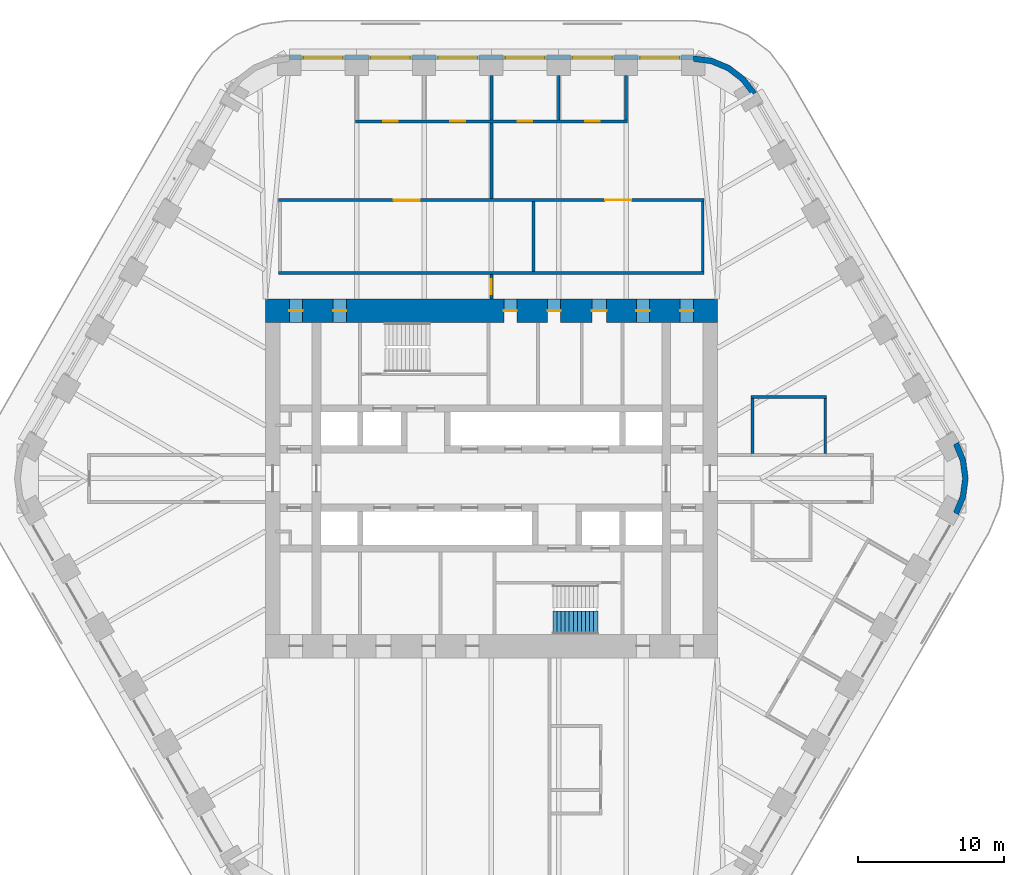
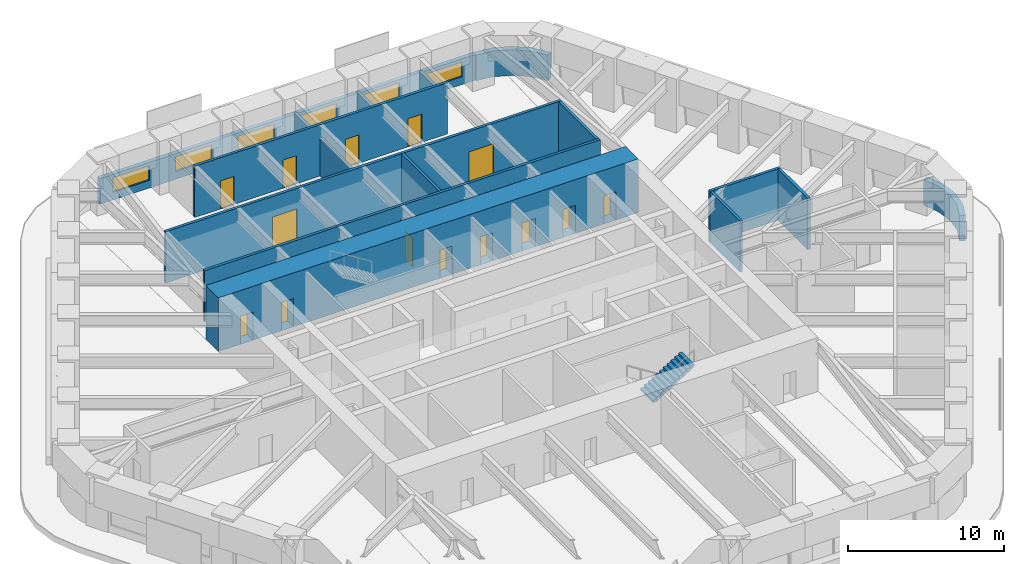
# One storey, part 17 of 20: 17 walls, 14 doors, 6 windows, 1 stair flight, 20 openings, 1 element without a shape of its own.
"""IFC4 building model written with IfcOpenShell, lengths in metres."""

from ifc_helpers import new_model, si_unit, direction, frame, frame_2d, origin, place, context, subcontext, project, spatial, polyline, rectangle, outline, extrude, material, layer, layer_set, type_object, element, fill, aggregate, save


model = new_model("IFC4")

# Units and contexts
model_context = context("Model", 3, precision=1e-05, world=origin(), true_north=direction((0.0, 1.0)))
body_context = subcontext(model_context, "Body", "Model", "MODEL_VIEW")
ifc_project = project(units=[si_unit("LENGTHUNIT", "METRE"), si_unit("AREAUNIT", "SQUARE_METRE"), si_unit("VOLUMEUNIT", "CUBIC_METRE"), si_unit("PLANEANGLEUNIT", "RADIAN"), si_unit("MASSUNIT", "GRAM", prefix="KILO")], contexts=[model_context])

# Site, building, storey
site_placement = place(None, origin())
site = spatial("IfcSite", under=ifc_project, at=site_placement, CompositionType="ELEMENT")
building_placement = place(site_placement, origin())
building = spatial("IfcBuilding", under=site, at=building_placement, Name="Tarfa Lantern Tower", CompositionType="ELEMENT")
storey_placement = place(building_placement, frame((0.0, 0.0, 228.10009765625)))
storey = spatial("IfcBuildingStorey", under=building, at=storey_placement, Name="L51", CompositionType="ELEMENT", Elevation=228.10009765625)

# Wall, openings, windows
ifc_material_1 = material(Name="Limestone cladding on blockwork", Category="masonry")
ifc_layer_1 = layer(ifc_material_1, 0.300048828125)
ifc_layer_set_1 = layer_set([ifc_layer_1], Name="EW1 STONE-CLAD WALL 300")
wall_type_1 = type_object("IfcWallType", Name="EW1 STONE-CLAD WALL 300", PredefinedType="SOLIDWALL", material=ifc_layer_set_1)
wall_1_placement = place(storey_placement, frame((13.8564453125, 28.85009765625, 0.0), z_axis=(0.0, 0.0, 1.0), x_axis=(-1.0, 0.0, 0.0)))
wall_1 = element("IfcWall", 1, at=wall_1_placement, inside=storey, type_object=wall_type_1, Name="Stone wall N", PredefinedType="SOLIDWALL", context=body_context, shape_type="SweptSolid", body=[
    extrude(rectangle(XDim=27.712890625, YDim=0.300048828125, at=frame_2d((13.8564453125, 0.0))), origin(), (0.0, 0.0, 1.0), 2.0),
])
opening_1_placement = place(wall_1_placement, frame((0.95947265625, 0.0, 0.60009765625)))
opening_1 = element("IfcOpeningElement", 2, at=opening_1_placement, cuts=wall_1, Name="Opening W13", PredefinedType="OPENING", context=body_context, shape_type="SweptSolid", body=[
    extrude(rectangle(XDim=2.699951171875, YDim=1.14990234375, at=frame_2d((1.35009765625, 0.574951171875))), frame((0.0, 0.159912109375, 0.0), z_axis=(0.0, -1.0, 0.0), x_axis=(1.0, 0.0, 0.0)), (0.0, 0.0, 1.0), 0.320068359375),
])
opening_2_placement = place(wall_1_placement, frame((5.578125, 0.0, 0.60009765625)))
opening_2 = element("IfcOpeningElement", 3, at=opening_2_placement, cuts=wall_1, Name="Opening W13", PredefinedType="OPENING", context=body_context, shape_type="SweptSolid", body=[
    extrude(rectangle(XDim=2.699951171875, YDim=1.14990234375, at=frame_2d((1.35009765625, 0.574951171875))), frame((0.0, 0.159912109375, 0.0), z_axis=(0.0, -1.0, 0.0), x_axis=(1.0, 0.0, 0.0)), (0.0, 0.0, 1.0), 0.320068359375),
])
opening_3_placement = place(wall_1_placement, frame((10.197021484375, 0.0, 0.60009765625)))
opening_3 = element("IfcOpeningElement", 4, at=opening_3_placement, cuts=wall_1, Name="Opening W13", PredefinedType="OPENING", context=body_context, shape_type="SweptSolid", body=[
    extrude(rectangle(XDim=2.699951171875, YDim=1.14990234375, at=frame_2d((1.35009765625, 0.574951171875))), frame((0.0, 0.159912109375, 0.0), z_axis=(0.0, -1.0, 0.0), x_axis=(1.0, 0.0, 0.0)), (0.0, 0.0, 1.0), 0.320068359375),
])
opening_4_placement = place(wall_1_placement, frame((14.81591796875, 0.0, 0.60009765625)))
opening_4 = element("IfcOpeningElement", 5, at=opening_4_placement, cuts=wall_1, Name="Opening W13", PredefinedType="OPENING", context=body_context, shape_type="SweptSolid", body=[
    extrude(rectangle(XDim=2.699951171875, YDim=1.14990234375, at=frame_2d((1.35009765625, 0.574951171875))), frame((0.0, 0.159912109375, 0.0), z_axis=(0.0, -1.0, 0.0), x_axis=(1.0, 0.0, 0.0)), (0.0, 0.0, 1.0), 0.320068359375),
])
opening_5_placement = place(wall_1_placement, frame((19.4345703125, 0.0, 0.60009765625)))
opening_5 = element("IfcOpeningElement", 6, at=opening_5_placement, cuts=wall_1, Name="Opening W13", PredefinedType="OPENING", context=body_context, shape_type="SweptSolid", body=[
    extrude(rectangle(XDim=2.699951171875, YDim=1.14990234375, at=frame_2d((1.35009765625, 0.574951171875))), frame((0.0, 0.159912109375, 0.0), z_axis=(0.0, -1.0, 0.0), x_axis=(1.0, 0.0, 0.0)), (0.0, 0.0, 1.0), 0.320068359375),
])
opening_6_placement = place(wall_1_placement, frame((24.053466796875, 0.0, 0.60009765625)))
opening_6 = element("IfcOpeningElement", 7, at=opening_6_placement, cuts=wall_1, Name="Opening W13", PredefinedType="OPENING", context=body_context, shape_type="SweptSolid", body=[
    extrude(rectangle(XDim=2.699951171875, YDim=1.14990234375, at=frame_2d((1.35009765625, 0.574951171875))), frame((0.0, 0.159912109375, 0.0), z_axis=(0.0, -1.0, 0.0), x_axis=(1.0, 0.0, 0.0)), (0.0, 0.0, 1.0), 0.320068359375),
])
ifc_material_2 = material(Name="Aluminium frame, double glazed", Category="aluminium")
window_type = type_object("IfcWindowType", Name="W13 FULL-HEIGHT GLAZING 2700x1150", PartitioningType="SINGLE_PANEL", PredefinedType="WINDOW", material=ifc_material_2)
window_1_placement = place(opening_1_placement, origin())
window_1 = element("IfcWindow", 8, at=window_1_placement, inside=storey, type_object=window_type, Name="Window N 1", OverallHeight=1.14990234375, OverallWidth=2.699951171875, PartitioningType="SINGLE_PANEL", PredefinedType="WINDOW", context=body_context, shape_type="SweptSolid", body=[
    extrude(rectangle(XDim=2.699951171875, YDim=1.14990234375, at=frame_2d((1.35009765625, 0.574951171875))), frame((0.0, 0.030029296875, 0.0), z_axis=(0.0, -1.0, 0.0), x_axis=(1.0, 0.0, 0.0)), (0.0, 0.0, 1.0), 0.06005859375),
])
fill(opening_1, window_1)
window_2_placement = place(opening_2_placement, origin())
window_2 = element("IfcWindow", 9, at=window_2_placement, inside=storey, type_object=window_type, Name="Window N 2", OverallHeight=1.14990234375, OverallWidth=2.699951171875, PartitioningType="SINGLE_PANEL", PredefinedType="WINDOW", context=body_context, shape_type="SweptSolid", body=[
    extrude(rectangle(XDim=2.699951171875, YDim=1.14990234375, at=frame_2d((1.35009765625, 0.574951171875))), frame((0.0, 0.030029296875, 0.0), z_axis=(0.0, -1.0, 0.0), x_axis=(1.0, 0.0, 0.0)), (0.0, 0.0, 1.0), 0.06005859375),
])
fill(opening_2, window_2)
window_3_placement = place(opening_3_placement, origin())
window_3 = element("IfcWindow", 10, at=window_3_placement, inside=storey, type_object=window_type, Name="Window N 3", OverallHeight=1.14990234375, OverallWidth=2.699951171875, PartitioningType="SINGLE_PANEL", PredefinedType="WINDOW", context=body_context, shape_type="SweptSolid", body=[
    extrude(rectangle(XDim=2.699951171875, YDim=1.14990234375, at=frame_2d((1.35009765625, 0.574951171875))), frame((0.0, 0.030029296875, 0.0), z_axis=(0.0, -1.0, 0.0), x_axis=(1.0, 0.0, 0.0)), (0.0, 0.0, 1.0), 0.06005859375),
])
fill(opening_3, window_3)
window_4_placement = place(opening_4_placement, origin())
window_4 = element("IfcWindow", 11, at=window_4_placement, inside=storey, type_object=window_type, Name="Window N 4", OverallHeight=1.14990234375, OverallWidth=2.699951171875, PartitioningType="SINGLE_PANEL", PredefinedType="WINDOW", context=body_context, shape_type="SweptSolid", body=[
    extrude(rectangle(XDim=2.699951171875, YDim=1.14990234375, at=frame_2d((1.35009765625, 0.574951171875))), frame((0.0, 0.030029296875, 0.0), z_axis=(0.0, -1.0, 0.0), x_axis=(1.0, 0.0, 0.0)), (0.0, 0.0, 1.0), 0.06005859375),
])
fill(opening_4, window_4)
window_5_placement = place(opening_5_placement, origin())
window_5 = element("IfcWindow", 12, at=window_5_placement, inside=storey, type_object=window_type, Name="Window N 5", OverallHeight=1.14990234375, OverallWidth=2.699951171875, PartitioningType="SINGLE_PANEL", PredefinedType="WINDOW", context=body_context, shape_type="SweptSolid", body=[
    extrude(rectangle(XDim=2.699951171875, YDim=1.14990234375, at=frame_2d((1.35009765625, 0.574951171875))), frame((0.0, 0.030029296875, 0.0), z_axis=(0.0, -1.0, 0.0), x_axis=(1.0, 0.0, 0.0)), (0.0, 0.0, 1.0), 0.06005859375),
])
fill(opening_5, window_5)
window_6_placement = place(opening_6_placement, origin())
window_6 = element("IfcWindow", 13, at=window_6_placement, inside=storey, type_object=window_type, Name="Window N 6", OverallHeight=1.14990234375, OverallWidth=2.699951171875, PartitioningType="SINGLE_PANEL", PredefinedType="WINDOW", context=body_context, shape_type="SweptSolid", body=[
    extrude(rectangle(XDim=2.699951171875, YDim=1.14990234375, at=frame_2d((1.35009765625, 0.574951171875))), frame((0.0, 0.030029296875, 0.0), z_axis=(0.0, -1.0, 0.0), x_axis=(1.0, 0.0, 0.0)), (0.0, 0.0, 1.0), 0.06005859375),
])
fill(opening_6, window_6)

# Walls
ifc_layer_2 = layer(ifc_material_1, 0.39990234375)
ifc_layer_set_2 = layer_set([ifc_layer_2], Name="EW2 CURVED STONE CORNER 400")
wall_type_2 = type_object("IfcWallType", Name="EW2 CURVED STONE CORNER 400", PredefinedType="SOLIDWALL", material=ifc_layer_set_2)
wall_2_placement = place(storey_placement, origin())
element("IfcWall", 14, at=wall_2_placement, inside=storey, type_object=wall_type_2, Name="Stone corner NE-N", PredefinedType="SOLIDWALL", context=body_context, shape_type="SweptSolid", body=[
    extrude(outline(polyline([(18.1865234375, 26.5), (17.391845703125, 27.53564453125), (16.3564453125, 28.330078125), (15.150390625, 28.82958984375), (13.8564453125, 29.0), (13.8564453125, 28.60009765625), (15.046875, 28.443359375), (16.156494140625, 27.983642578125), (17.109130859375, 27.252685546875), (17.840087890625, 26.300048828125), (18.1865234375, 26.5)])), origin(), (0.0, 0.0, 1.0), 2.0),
])
wall_3_placement = place(storey_placement, origin())
element("IfcWall", 15, at=wall_3_placement, inside=storey, type_object=wall_type_2, Name="Stone corner SE-NE", PredefinedType="SOLIDWALL", context=body_context, shape_type="SweptSolid", body=[
    extrude(outline(polyline([(32.04296875, -2.5), (32.54248046875, -1.294189453125), (32.712890625, 0.0), (32.54248046875, 1.294189453125), (32.04296875, 2.5), (31.696533203125, 2.300048828125), (32.156005859375, 1.190673828125), (32.312744140625, 0.0), (32.156005859375, -1.190673828125), (31.696533203125, -2.300048828125), (32.04296875, -2.5)])), origin(), (0.0, 0.0, 1.0), 2.0),
])
ifc_material_3 = material(Name="Gypsum board on steel studs", Category="steel")
ifc_layer_3 = layer(ifc_material_3, 0.2099609375)
ifc_layer_set_3 = layer_set([ifc_layer_3], Name="IW2 ACOUSTIC PARTITION 200")
wall_type_3 = type_object("IfcWallType", Name="IW2 ACOUSTIC PARTITION 200", PredefinedType="PARTITIONING", material=ifc_layer_set_3)
wall_4_placement = place(storey_placement, frame((-14.60009765625, 14.10009765625, 0.0), z_axis=(0.0, 0.0, 1.0), x_axis=(1.0, 0.0, 0.0)))
element("IfcWall", 16, at=wall_4_placement, inside=storey, type_object=wall_type_3, Name="Partition", PredefinedType="PARTITIONING", context=body_context, shape_type="SweptSolid", body=[
    extrude(rectangle(XDim=29.2001953125, YDim=0.199951171875, at=frame_2d((14.60009765625, 0.0))), origin(), (0.0, 0.0, 1.0), 4.0),
])

# Wall, openings, doors
wall_5_placement = place(storey_placement, frame((-14.60009765625, 19.10009765625, 0.0), z_axis=(0.0, 0.0, 1.0), x_axis=(1.0, 0.0, 0.0)))
wall_5 = element("IfcWall", 17, at=wall_5_placement, inside=storey, type_object=wall_type_3, Name="Partition", PredefinedType="PARTITIONING", context=body_context, shape_type="SweptSolid", body=[
    extrude(rectangle(XDim=29.2001953125, YDim=0.199951171875, at=frame_2d((14.60009765625, 0.0))), origin(), (0.0, 0.0, 1.0), 4.0),
])
opening_7_placement = place(wall_5_placement, frame((7.89990234375, 0.0, 0.0)))
opening_7 = element("IfcOpeningElement", 18, at=opening_7_placement, cuts=wall_5, Name="Opening D36", PredefinedType="OPENING", context=body_context, shape_type="SweptSolid", body=[
    extrude(rectangle(XDim=1.800048828125, YDim=2.39990234375, at=frame_2d((0.89990234375, 1.199951171875))), frame((0.0, 0.10986328125, 0.0), z_axis=(0.0, -1.0, 0.0), x_axis=(1.0, 0.0, 0.0)), (0.0, 0.0, 1.0), 0.219970703125),
])
opening_8_placement = place(wall_5_placement, frame((22.39990234375, 0.0, 0.0)))
opening_8 = element("IfcOpeningElement", 19, at=opening_8_placement, cuts=wall_5, Name="Opening D37", PredefinedType="OPENING", context=body_context, shape_type="SweptSolid", body=[
    extrude(rectangle(XDim=1.800048828125, YDim=2.39990234375, at=frame_2d((0.89990234375, 1.199951171875))), frame((0.0, 0.10986328125, 0.0), z_axis=(0.0, -1.0, 0.0), x_axis=(1.0, 0.0, 0.0)), (0.0, 0.0, 1.0), 0.219970703125),
])
ifc_material_4 = material(Name="Timber door", Category="wood")
door_type_1 = type_object("IfcDoorType", Name="DR2 ROOM DOOR 1800x2400", OperationType="DOUBLE_DOOR_SINGLE_SWING", PredefinedType="DOOR", material=ifc_material_4)
door_1_placement = place(opening_7_placement, frame((1.800048828125, 0.0, 0.0), z_axis=(0.0, 0.0, 1.0), x_axis=(-1.0, 0.0, 0.0)))
door_1 = element("IfcDoor", 20, at=door_1_placement, inside=storey, type_object=door_type_1, Name="Legal library door", OperationType="DOUBLE_DOOR_SINGLE_SWING", OverallHeight=2.39990234375, OverallWidth=1.800048828125, PredefinedType="DOOR", context=body_context, shape_type="SweptSolid", body=[
    extrude(rectangle(XDim=1.800048828125, YDim=2.39990234375, at=frame_2d((0.89990234375, 1.199951171875))), frame((0.0, 0.02490234375, 0.0), z_axis=(0.0, -1.0, 0.0), x_axis=(1.0, 0.0, 0.0)), (0.0, 0.0, 1.0), 0.050048828125),
])
fill(opening_7, door_1)
door_2_placement = place(opening_8_placement, frame((1.800048828125, 0.0, 0.0), z_axis=(0.0, 0.0, 1.0), x_axis=(-1.0, 0.0, 0.0)))
door_2 = element("IfcDoor", 21, at=door_2_placement, inside=storey, type_object=door_type_1, Name="File room door", OperationType="DOUBLE_DOOR_SINGLE_SWING", OverallHeight=2.39990234375, OverallWidth=1.800048828125, PredefinedType="DOOR", context=body_context, shape_type="SweptSolid", body=[
    extrude(rectangle(XDim=1.800048828125, YDim=2.39990234375, at=frame_2d((0.89990234375, 1.199951171875))), frame((0.0, 0.02490234375, 0.0), z_axis=(0.0, -1.0, 0.0), x_axis=(1.0, 0.0, 0.0)), (0.0, 0.0, 1.0), 0.050048828125),
])
fill(opening_8, door_2)

# Walls
for number, where, z_axis, x_axis, name in (
    (22, (2.89990234375, 14.199951171875, 0.0), (0.0, 0.0, 1.0), (0.0, 1.0, 0.0), "Partition"),
    (23, (14.5, 14.199951171875, 0.0), (0.0, 0.0, 1.0), (0.0, 1.0, 0.0), "Partition"),
):
    element("IfcWall", number, at=place(storey_placement, frame(where, z_axis=z_axis, x_axis=x_axis)), inside=storey, type_object=wall_type_3, Name=name, PredefinedType="PARTITIONING", context=body_context, shape_type="SweptSolid", body=[
        extrude(rectangle(XDim=4.800048828125, YDim=0.199951171875, at=frame_2d((2.39990234375, 0.0))), origin(), (0.0, 0.0, 1.0), 4.0),
    ])

# Wall, openings, doors
wall_6_placement = place(storey_placement, frame((9.337646484375, 24.5, 0.0), z_axis=(0.0, 0.0, 1.0), x_axis=(-1.0, 0.0, 0.0)))
wall_6 = element("IfcWall", 24, at=wall_6_placement, inside=storey, type_object=wall_type_3, Name="Partition", PredefinedType="PARTITIONING", context=body_context, shape_type="SweptSolid", body=[
    extrude(rectangle(XDim=18.67529296875, YDim=0.199951171875, at=frame_2d((9.337646484375, 0.0))), origin(), (0.0, 0.0, 1.0), 4.0),
])
opening_9_placement = place(wall_6_placement, frame((1.909423828125, 0.0, 0.0)))
opening_9 = element("IfcOpeningElement", 25, at=opening_9_placement, cuts=wall_6, Name="Opening D29", PredefinedType="OPENING", context=body_context, shape_type="SweptSolid", body=[
    extrude(rectangle(XDim=1.0, YDim=2.199951171875, at=frame_2d((0.5, 1.10009765625))), frame((0.0, 0.10986328125, 0.0), z_axis=(0.0, -1.0, 0.0), x_axis=(1.0, 0.0, 0.0)), (0.0, 0.0, 1.0), 0.219970703125),
])
opening_10_placement = place(wall_6_placement, frame((6.5283203125, 0.0, 0.0)))
opening_10 = element("IfcOpeningElement", 26, at=opening_10_placement, cuts=wall_6, Name="Opening D30", PredefinedType="OPENING", context=body_context, shape_type="SweptSolid", body=[
    extrude(rectangle(XDim=1.0, YDim=2.199951171875, at=frame_2d((0.5, 1.10009765625))), frame((0.0, 0.10986328125, 0.0), z_axis=(0.0, -1.0, 0.0), x_axis=(1.0, 0.0, 0.0)), (0.0, 0.0, 1.0), 0.219970703125),
])
opening_11_placement = place(wall_6_placement, frame((11.14697265625, 0.0, 0.0)))
opening_11 = element("IfcOpeningElement", 27, at=opening_11_placement, cuts=wall_6, Name="Opening D31", PredefinedType="OPENING", context=body_context, shape_type="SweptSolid", body=[
    extrude(rectangle(XDim=1.0, YDim=2.199951171875, at=frame_2d((0.5, 1.10009765625))), frame((0.0, 0.10986328125, 0.0), z_axis=(0.0, -1.0, 0.0), x_axis=(1.0, 0.0, 0.0)), (0.0, 0.0, 1.0), 0.219970703125),
])
opening_12_placement = place(wall_6_placement, frame((15.765869140625, 0.0, 0.0)))
opening_12 = element("IfcOpeningElement", 28, at=opening_12_placement, cuts=wall_6, Name="Opening D32", PredefinedType="OPENING", context=body_context, shape_type="SweptSolid", body=[
    extrude(rectangle(XDim=1.0, YDim=2.199951171875, at=frame_2d((0.5, 1.10009765625))), frame((0.0, 0.10986328125, 0.0), z_axis=(0.0, -1.0, 0.0), x_axis=(1.0, 0.0, 0.0)), (0.0, 0.0, 1.0), 0.219970703125),
])
door_type_2 = type_object("IfcDoorType", Name="DR1 ROOM DOOR 1000x2200", OperationType="SINGLE_SWING_LEFT", PredefinedType="DOOR", material=ifc_material_4)
door_3_placement = place(opening_9_placement, frame((1.0, 0.0, 0.0), z_axis=(0.0, 0.0, 1.0), x_axis=(-1.0, 0.0, 0.0)))
door_3 = element("IfcDoor", 29, at=door_3_placement, inside=storey, type_object=door_type_2, Name="Office door", OperationType="SINGLE_SWING_LEFT", OverallHeight=2.199951171875, OverallWidth=1.0, PredefinedType="DOOR", context=body_context, shape_type="SweptSolid", body=[
    extrude(rectangle(XDim=1.0, YDim=2.199951171875, at=frame_2d((0.5, 1.10009765625))), frame((0.0, 0.02490234375, 0.0), z_axis=(0.0, -1.0, 0.0), x_axis=(1.0, 0.0, 0.0)), (0.0, 0.0, 1.0), 0.050048828125),
])
fill(opening_9, door_3)
door_4_placement = place(opening_10_placement, frame((1.0, 0.0, 0.0), z_axis=(0.0, 0.0, 1.0), x_axis=(-1.0, 0.0, 0.0)))
door_4 = element("IfcDoor", 30, at=door_4_placement, inside=storey, type_object=door_type_2, Name="Office door", OperationType="SINGLE_SWING_LEFT", OverallHeight=2.199951171875, OverallWidth=1.0, PredefinedType="DOOR", context=body_context, shape_type="SweptSolid", body=[
    extrude(rectangle(XDim=1.0, YDim=2.199951171875, at=frame_2d((0.5, 1.10009765625))), frame((0.0, 0.02490234375, 0.0), z_axis=(0.0, -1.0, 0.0), x_axis=(1.0, 0.0, 0.0)), (0.0, 0.0, 1.0), 0.050048828125),
])
fill(opening_10, door_4)
door_5_placement = place(opening_11_placement, frame((1.0, 0.0, 0.0), z_axis=(0.0, 0.0, 1.0), x_axis=(-1.0, 0.0, 0.0)))
door_5 = element("IfcDoor", 31, at=door_5_placement, inside=storey, type_object=door_type_2, Name="Office door", OperationType="SINGLE_SWING_RIGHT", OverallHeight=2.199951171875, OverallWidth=1.0, PredefinedType="DOOR", context=body_context, shape_type="SweptSolid", body=[
    extrude(rectangle(XDim=1.0, YDim=2.199951171875, at=frame_2d((0.5, 1.10009765625))), frame((0.0, 0.02490234375, 0.0), z_axis=(0.0, -1.0, 0.0), x_axis=(1.0, 0.0, 0.0)), (0.0, 0.0, 1.0), 0.050048828125),
])
fill(opening_11, door_5)
door_6_placement = place(opening_12_placement, frame((1.0, 0.0, 0.0), z_axis=(0.0, 0.0, 1.0), x_axis=(-1.0, 0.0, 0.0)))
door_6 = element("IfcDoor", 32, at=door_6_placement, inside=storey, type_object=door_type_2, Name="Office door", OperationType="SINGLE_SWING_RIGHT", OverallHeight=2.199951171875, OverallWidth=1.0, PredefinedType="DOOR", context=body_context, shape_type="SweptSolid", body=[
    extrude(rectangle(XDim=1.0, YDim=2.199951171875, at=frame_2d((0.5, 1.10009765625))), frame((0.0, 0.02490234375, 0.0), z_axis=(0.0, -1.0, 0.0), x_axis=(1.0, 0.0, 0.0)), (0.0, 0.0, 1.0), 0.050048828125),
])
fill(opening_12, door_6)

# Walls
for number, where, z_axis, x_axis, name in (
    (33, (9.237548828125, 24.60009765625, 0.0), (0.0, 0.0, 1.0), (0.0, 1.0, 0.0), "Partition"),
    (34, (4.618896484375, 24.60009765625, 0.0), (0.0, 0.0, 1.0), (0.0, 1.0, 0.0), "Partition"),
    (35, (0.0, 24.60009765625, 0.0), (0.0, 0.0, 1.0), (0.0, 1.0, 0.0), "Partition"),
):
    element("IfcWall", number, at=place(storey_placement, frame(where, z_axis=z_axis, x_axis=x_axis)), inside=storey, type_object=wall_type_3, Name=name, PredefinedType="PARTITIONING", context=body_context, shape_type="SweptSolid", body=[
        extrude(rectangle(XDim=3.0498046875, YDim=0.199951171875, at=frame_2d((1.52490234375, 0.0))), origin(), (0.0, 0.0, 1.0), 2.99169921875),
    ])
wall_7_placement = place(storey_placement, frame((17.800048828125, 5.60009765625, 0.0), z_axis=(0.0, 0.0, 1.0), x_axis=(1.0, 0.0, 0.0)))
element("IfcWall", 36, at=wall_7_placement, inside=storey, type_object=wall_type_3, Name="Partition", PredefinedType="PARTITIONING", context=body_context, shape_type="SweptSolid", body=[
    extrude(rectangle(XDim=5.199951171875, YDim=0.199951171875, at=frame_2d((2.60009765625, 0.0))), origin(), (0.0, 0.0, 1.0), 4.0),
])
for number, where, z_axis, x_axis, name in (
    (37, (17.89990234375, 1.699951171875, 0.0), (0.0, 0.0, 1.0), (0.0, 1.0, 0.0), "Partition"),
    (38, (22.89990234375, 1.699951171875, 0.0), (0.0, 0.0, 1.0), (0.0, 1.0, 0.0), "Partition"),
):
    element("IfcWall", number, at=place(storey_placement, frame(where, z_axis=z_axis, x_axis=x_axis)), inside=storey, type_object=wall_type_3, Name=name, PredefinedType="PARTITIONING", context=body_context, shape_type="SweptSolid", body=[
        extrude(rectangle(XDim=3.800048828125, YDim=0.199951171875, at=frame_2d((1.89990234375, 0.0))), origin(), (0.0, 0.0, 1.0), 4.0),
    ])

# Wall, opening, door
wall_8_placement = place(storey_placement, frame((0.0, 12.300048828125, 0.0), z_axis=(0.0, 0.0, 1.0), x_axis=(0.0, 1.0, 0.0)))
wall_8 = element("IfcWall", 39, at=wall_8_placement, inside=storey, type_object=wall_type_3, Name="Partition", PredefinedType="PARTITIONING", context=body_context, shape_type="SweptSolid", body=[
    extrude(rectangle(XDim=1.699951171875, YDim=0.199951171875, at=frame_2d((0.85009765625, 0.0))), origin(), (0.0, 0.0, 1.0), 2.99169921875),
])
opening_13_placement = place(wall_8_placement, frame((0.35009765625, 0.0, 0.0)))
opening_13 = element("IfcOpeningElement", 40, at=opening_13_placement, cuts=wall_8, Name="Opening D46", PredefinedType="OPENING", context=body_context, shape_type="SweptSolid", body=[
    extrude(rectangle(XDim=1.0, YDim=2.199951171875, at=frame_2d((0.5, 1.10009765625))), frame((0.0, 0.10986328125, 0.0), z_axis=(0.0, -1.0, 0.0), x_axis=(1.0, 0.0, 0.0)), (0.0, 0.0, 1.0), 0.219970703125),
])
door_7_placement = place(opening_13_placement, frame((1.0, 0.0, 0.0), z_axis=(0.0, 0.0, 1.0), x_axis=(-1.0, 0.0, 0.0)))
door_7 = element("IfcDoor", 41, at=door_7_placement, inside=storey, type_object=door_type_2, Name="Zone door", OperationType="SINGLE_SWING_RIGHT", OverallHeight=2.199951171875, OverallWidth=1.0, PredefinedType="DOOR", context=body_context, shape_type="SweptSolid", body=[
    extrude(rectangle(XDim=1.0, YDim=2.199951171875, at=frame_2d((0.5, 1.10009765625))), frame((0.0, 0.02490234375, 0.0), z_axis=(0.0, -1.0, 0.0), x_axis=(1.0, 0.0, 0.0)), (0.0, 0.0, 1.0), 0.050048828125),
])
fill(opening_13, door_7)

# Wall
wall_9_placement = place(storey_placement, frame((0.0, 19.199951171875, 0.0), z_axis=(0.0, 0.0, 1.0), x_axis=(0.0, 1.0, 0.0)))
element("IfcWall", 42, at=wall_9_placement, inside=storey, type_object=wall_type_3, Name="Partition", PredefinedType="PARTITIONING", context=body_context, shape_type="SweptSolid", body=[
    extrude(rectangle(XDim=5.199951171875, YDim=0.199951171875, at=frame_2d((2.60009765625, 0.0))), origin(), (0.0, 0.0, 1.0), 2.99169921875),
])

# Wall, openings, doors
ifc_material_5 = material(Name="Concrete C80/95", Category="concrete")
ifc_layer_4 = layer(ifc_material_5, 1.60009765625)
ifc_layer_set_4 = layer_set([ifc_layer_4], Name="SW7 CORE WALL 1600")
wall_type_4 = type_object("IfcWallType", Name="SW7 CORE WALL 1600", PredefinedType="SHEAR", material=ifc_layer_set_4)
wall_10_placement = place(storey_placement, frame((-15.5, 11.5, 0.0), z_axis=(0.0, 0.0, 1.0), x_axis=(1.0, 0.0, 0.0)))
wall_10 = element("IfcWall", 43, at=wall_10_placement, inside=storey, type_object=wall_type_4, Name="Core wall N", PredefinedType="SHEAR", context=body_context, shape_type="SweptSolid", body=[
    extrude(rectangle(XDim=31.0, YDim=1.60009765625, at=frame_2d((15.5, 0.0))), origin(), (0.0, 0.0, 1.0), 4.199951171875),
])
opening_14_placement = place(wall_10_placement, frame((16.35009765625, 0.0, 0.0)))
opening_14 = element("IfcOpeningElement", 44, at=opening_14_placement, cuts=wall_10, Name="Opening D17", PredefinedType="OPENING", context=body_context, shape_type="SweptSolid", body=[
    extrude(rectangle(XDim=0.89990234375, YDim=2.199951171875, at=frame_2d((0.449951171875, 1.10009765625))), frame((0.0, 0.81005859375, 0.0), z_axis=(0.0, -1.0, 0.0), x_axis=(1.0, 0.0, 0.0)), (0.0, 0.0, 1.0), 1.6201171875),
])
opening_15_placement = place(wall_10_placement, frame((19.35009765625, 0.0, 0.0)))
opening_15 = element("IfcOpeningElement", 45, at=opening_15_placement, cuts=wall_10, Name="Opening D19", PredefinedType="OPENING", context=body_context, shape_type="SweptSolid", body=[
    extrude(rectangle(XDim=0.89990234375, YDim=2.199951171875, at=frame_2d((0.449951171875, 1.10009765625))), frame((0.0, 0.81005859375, 0.0), z_axis=(0.0, -1.0, 0.0), x_axis=(1.0, 0.0, 0.0)), (0.0, 0.0, 1.0), 1.6201171875),
])
opening_16_placement = place(wall_10_placement, frame((22.39990234375, 0.0, 0.0)))
opening_16 = element("IfcOpeningElement", 46, at=opening_16_placement, cuts=wall_10, Name="Opening D21", PredefinedType="OPENING", context=body_context, shape_type="SweptSolid", body=[
    extrude(rectangle(XDim=1.0, YDim=2.199951171875, at=frame_2d((0.5, 1.10009765625))), frame((0.0, 0.81005859375, 0.0), z_axis=(0.0, -1.0, 0.0), x_axis=(1.0, 0.0, 0.0)), (0.0, 0.0, 1.0), 1.6201171875),
])
opening_17_placement = place(wall_10_placement, frame((1.64990234375, 0.0, 0.0)))
opening_17 = element("IfcOpeningElement", 47, at=opening_17_placement, cuts=wall_10, Name="Opening D07", PredefinedType="OPENING", context=body_context, shape_type="SweptSolid", body=[
    extrude(rectangle(XDim=0.89990234375, YDim=2.199951171875, at=frame_2d((0.449951171875, 1.10009765625))), frame((0.0, 0.81005859375, 0.0), z_axis=(0.0, -1.0, 0.0), x_axis=(1.0, 0.0, 0.0)), (0.0, 0.0, 1.0), 1.6201171875),
])
opening_18_placement = place(wall_10_placement, frame((4.64990234375, 0.0, 0.0)))
opening_18 = element("IfcOpeningElement", 48, at=opening_18_placement, cuts=wall_10, Name="Opening D05", PredefinedType="OPENING", context=body_context, shape_type="SweptSolid", body=[
    extrude(rectangle(XDim=0.89990234375, YDim=2.199951171875, at=frame_2d((0.449951171875, 1.10009765625))), frame((0.0, 0.81005859375, 0.0), z_axis=(0.0, -1.0, 0.0), x_axis=(1.0, 0.0, 0.0)), (0.0, 0.0, 1.0), 1.6201171875),
])
opening_19_placement = place(wall_10_placement, frame((25.449951171875, 0.0, 0.0)))
opening_19 = element("IfcOpeningElement", 49, at=opening_19_placement, cuts=wall_10, Name="Opening D03", PredefinedType="OPENING", context=body_context, shape_type="SweptSolid", body=[
    extrude(rectangle(XDim=0.89990234375, YDim=2.199951171875, at=frame_2d((0.449951171875, 1.10009765625))), frame((0.0, 0.81005859375, 0.0), z_axis=(0.0, -1.0, 0.0), x_axis=(1.0, 0.0, 0.0)), (0.0, 0.0, 1.0), 1.6201171875),
])
opening_20_placement = place(wall_10_placement, frame((28.449951171875, 0.0, 0.0)))
opening_20 = element("IfcOpeningElement", 50, at=opening_20_placement, cuts=wall_10, Name="Opening D01", PredefinedType="OPENING", context=body_context, shape_type="SweptSolid", body=[
    extrude(rectangle(XDim=0.89990234375, YDim=2.199951171875, at=frame_2d((0.449951171875, 1.10009765625))), frame((0.0, 0.81005859375, 0.0), z_axis=(0.0, -1.0, 0.0), x_axis=(1.0, 0.0, 0.0)), (0.0, 0.0, 1.0), 1.6201171875),
])
ifc_material_6 = material(Name="Steel fire door", Category="steel")
door_type_3 = type_object("IfcDoorType", Name="DF3 CORE ROOM DOOR 900x2200", OperationType="SINGLE_SWING_LEFT", PredefinedType="DOOR", material=ifc_material_6)
door_8_placement = place(opening_14_placement, frame((0.89990234375, 0.0, 0.0), z_axis=(0.0, 0.0, 1.0), x_axis=(-1.0, 0.0, 0.0)))
door_8 = element("IfcDoor", 51, at=door_8_placement, inside=storey, type_object=door_type_3, Name="Core door", OperationType="SINGLE_SWING_LEFT", OverallHeight=2.199951171875, OverallWidth=0.89990234375, PredefinedType="DOOR", context=body_context, shape_type="SweptSolid", body=[
    extrude(rectangle(XDim=0.89990234375, YDim=2.199951171875, at=frame_2d((0.449951171875, 1.10009765625))), frame((0.0, 0.02490234375, 0.0), z_axis=(0.0, -1.0, 0.0), x_axis=(1.0, 0.0, 0.0)), (0.0, 0.0, 1.0), 0.050048828125),
])
fill(opening_14, door_8)
door_9_placement = place(opening_15_placement, frame((0.89990234375, 0.0, 0.0), z_axis=(0.0, 0.0, 1.0), x_axis=(-1.0, 0.0, 0.0)))
door_9 = element("IfcDoor", 52, at=door_9_placement, inside=storey, type_object=door_type_3, Name="Core door", OperationType="SINGLE_SWING_LEFT", OverallHeight=2.199951171875, OverallWidth=0.89990234375, PredefinedType="DOOR", context=body_context, shape_type="SweptSolid", body=[
    extrude(rectangle(XDim=0.89990234375, YDim=2.199951171875, at=frame_2d((0.449951171875, 1.10009765625))), frame((0.0, 0.02490234375, 0.0), z_axis=(0.0, -1.0, 0.0), x_axis=(1.0, 0.0, 0.0)), (0.0, 0.0, 1.0), 0.050048828125),
])
fill(opening_15, door_9)
door_type_4 = type_object("IfcDoorType", Name="DF4 CORE ROOM DOOR 1000x2200", OperationType="SINGLE_SWING_LEFT", PredefinedType="DOOR", material=ifc_material_6)
door_10_placement = place(opening_16_placement, frame((1.0, 0.0, 0.0), z_axis=(0.0, 0.0, 1.0), x_axis=(-1.0, 0.0, 0.0)))
door_10 = element("IfcDoor", 53, at=door_10_placement, inside=storey, type_object=door_type_4, Name="Core door", OperationType="SINGLE_SWING_LEFT", OverallHeight=2.199951171875, OverallWidth=1.0, PredefinedType="DOOR", context=body_context, shape_type="SweptSolid", body=[
    extrude(rectangle(XDim=1.0, YDim=2.199951171875, at=frame_2d((0.5, 1.10009765625))), frame((0.0, 0.02490234375, 0.0), z_axis=(0.0, -1.0, 0.0), x_axis=(1.0, 0.0, 0.0)), (0.0, 0.0, 1.0), 0.050048828125),
])
fill(opening_16, door_10)
door_type_5 = type_object("IfcDoorType", Name="DF5 RISER DOOR 900x2200", OperationType="SINGLE_SWING_LEFT", PredefinedType="DOOR", material=ifc_material_6)
door_11_placement = place(opening_17_placement, frame((0.89990234375, 0.0, 0.0), z_axis=(0.0, 0.0, 1.0), x_axis=(-1.0, 0.0, 0.0)))
door_11 = element("IfcDoor", 54, at=door_11_placement, inside=storey, type_object=door_type_5, Name="Riser door", OperationType="SINGLE_SWING_LEFT", OverallHeight=2.199951171875, OverallWidth=0.89990234375, PredefinedType="DOOR", context=body_context, shape_type="SweptSolid", body=[
    extrude(rectangle(XDim=0.89990234375, YDim=2.199951171875, at=frame_2d((0.449951171875, 1.10009765625))), frame((0.0, 0.02490234375, 0.0), z_axis=(0.0, -1.0, 0.0), x_axis=(1.0, 0.0, 0.0)), (0.0, 0.0, 1.0), 0.050048828125),
])
fill(opening_17, door_11)
door_12_placement = place(opening_18_placement, frame((0.89990234375, 0.0, 0.0), z_axis=(0.0, 0.0, 1.0), x_axis=(-1.0, 0.0, 0.0)))
door_12 = element("IfcDoor", 55, at=door_12_placement, inside=storey, type_object=door_type_5, Name="Riser door", OperationType="SINGLE_SWING_LEFT", OverallHeight=2.199951171875, OverallWidth=0.89990234375, PredefinedType="DOOR", context=body_context, shape_type="SweptSolid", body=[
    extrude(rectangle(XDim=0.89990234375, YDim=2.199951171875, at=frame_2d((0.449951171875, 1.10009765625))), frame((0.0, 0.02490234375, 0.0), z_axis=(0.0, -1.0, 0.0), x_axis=(1.0, 0.0, 0.0)), (0.0, 0.0, 1.0), 0.050048828125),
])
fill(opening_18, door_12)
door_13_placement = place(opening_19_placement, frame((0.89990234375, 0.0, 0.0), z_axis=(0.0, 0.0, 1.0), x_axis=(-1.0, 0.0, 0.0)))
door_13 = element("IfcDoor", 56, at=door_13_placement, inside=storey, type_object=door_type_5, Name="Riser door", OperationType="SINGLE_SWING_RIGHT", OverallHeight=2.199951171875, OverallWidth=0.89990234375, PredefinedType="DOOR", context=body_context, shape_type="SweptSolid", body=[
    extrude(rectangle(XDim=0.89990234375, YDim=2.199951171875, at=frame_2d((0.449951171875, 1.10009765625))), frame((0.0, 0.02490234375, 0.0), z_axis=(0.0, -1.0, 0.0), x_axis=(1.0, 0.0, 0.0)), (0.0, 0.0, 1.0), 0.050048828125),
])
fill(opening_19, door_13)
door_14_placement = place(opening_20_placement, frame((0.89990234375, 0.0, 0.0), z_axis=(0.0, 0.0, 1.0), x_axis=(-1.0, 0.0, 0.0)))
door_14 = element("IfcDoor", 57, at=door_14_placement, inside=storey, type_object=door_type_5, Name="Riser door", OperationType="SINGLE_SWING_RIGHT", OverallHeight=2.199951171875, OverallWidth=0.89990234375, PredefinedType="DOOR", context=body_context, shape_type="SweptSolid", body=[
    extrude(rectangle(XDim=0.89990234375, YDim=2.199951171875, at=frame_2d((0.449951171875, 1.10009765625))), frame((0.0, 0.02490234375, 0.0), z_axis=(0.0, -1.0, 0.0), x_axis=(1.0, 0.0, 0.0)), (0.0, 0.0, 1.0), 0.050048828125),
])
fill(opening_20, door_14)

# Stair, stair flight
ifc_material_7 = material(Name="Concrete C40/50", Category="concrete")
stair_type = type_object("IfcStairType", Name="ST-T10 HALF-TURN STAIR 4200 RISE", PredefinedType="HALF_TURN_STAIR", material=ifc_material_7)
stair_placement = place(storey_placement, origin())
stair = element("IfcStair", 58, at=stair_placement, inside=storey, type_object=stair_type, Name="Stair ST2", PredefinedType="HALF_TURN_STAIR")
stair_flight_type = type_object("IfcStairFlightType", Name="SF1 STAIR FLIGHT", PredefinedType="STRAIGHT", material=ifc_material_7)
stair_flight_placement = place(storey_placement, frame((4.219970703125, -9.89990234375, 2.099853515625), z_axis=(0.0, 0.0, 1.0), x_axis=(1.0, 0.0, 0.0)))
stair_flight = element("IfcStairFlight", 59, at=stair_flight_placement, type_object=stair_flight_type, Name="ST2 flight 2", NumberOfRisers=12, NumberOfTreads=11, PredefinedType="STRAIGHT", RiserHeight=0.175, TreadLength=0.28, context=body_context, shape_type="SweptSolid", body=[
    extrude(outline(polyline([(0.0, 0.0), (0.0, 0.175048828125), (0.280029296875, 0.175048828125), (0.280029296875, 0.35009765625), (0.56005859375, 0.35009765625), (0.56005859375, 0.52490234375), (0.840087890625, 0.52490234375), (0.840087890625, 0.699951171875), (1.1201171875, 0.699951171875), (1.1201171875, 0.875), (1.39990234375, 0.875), (1.39990234375, 1.050048828125), (1.679931640625, 1.050048828125), (1.679931640625, 1.22509765625), (1.9599609375, 1.22509765625), (1.9599609375, 1.39990234375), (2.239990234375, 1.39990234375), (2.239990234375, 1.574951171875), (2.52001953125, 1.574951171875), (2.52001953125, 1.75), (2.800048828125, 1.75), (2.800048828125, 1.925048828125), (3.080078125, 1.925048828125), (3.080078125, 2.10009765625), (3.080078125, 1.748291015625), (0.28271484375, 0.0), (0.0, 0.0)])), frame((0.0, 0.800048828125, 0.0), z_axis=(0.0, -1.0, 0.0), x_axis=(1.0, 0.0, 0.0)), (0.0, 0.0, 1.0), 1.60009765625),
])
aggregate(stair, [stair_flight])

save(model, "model.ifc")
